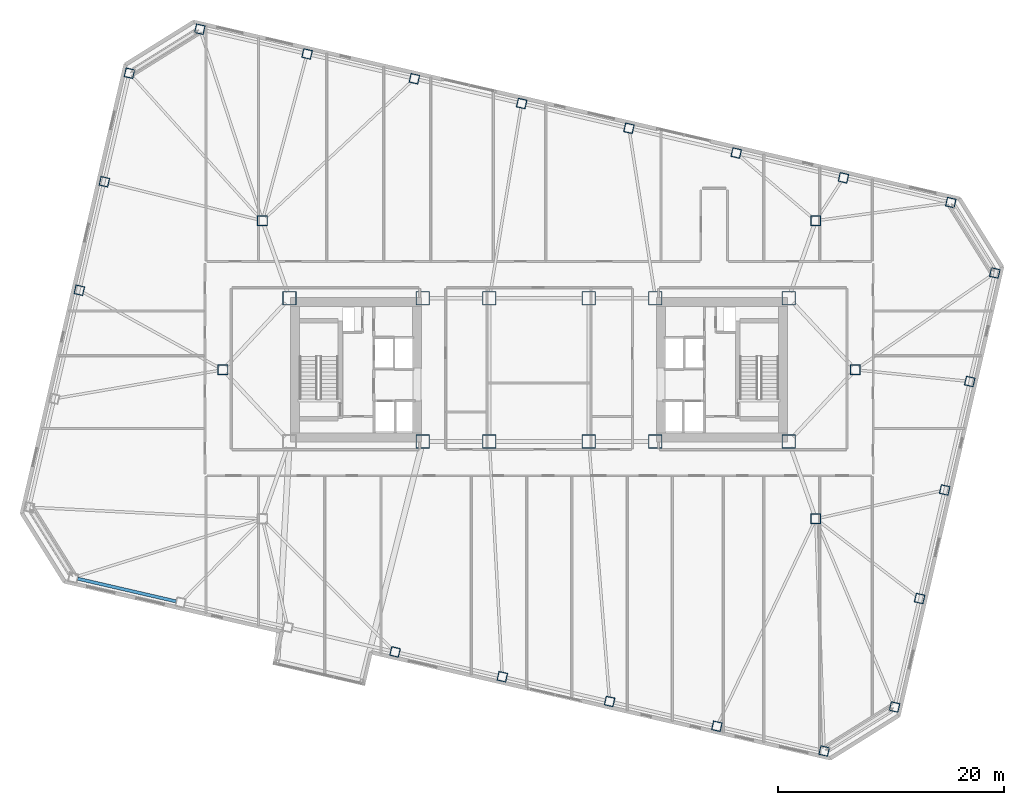
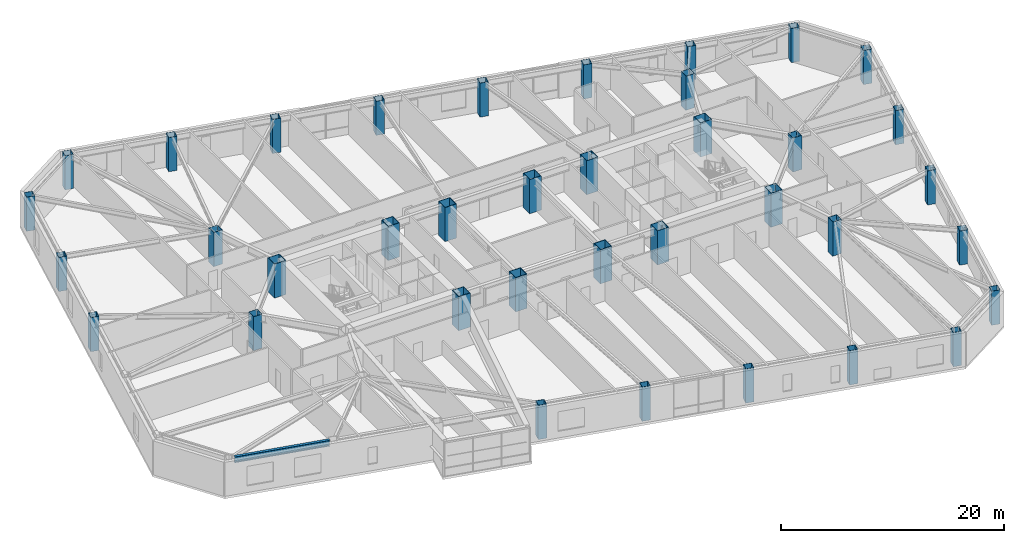
# One storey, part 2 of 21: 37 columns, 1 beam.
"""IFC4 building model written with IfcOpenShell, lengths in metres."""

from ifc_helpers import new_model, si_unit, direction, frame, origin, origin_2d, place, context, subcontext, project, spatial, hollow_rectangle, i_section, extrude, material, material_profile, profile_set, type_object, element, save


model = new_model("IFC4")

# Units and contexts
model_context = context("Model", 3, precision=1e-05, world=origin(), true_north=direction((0.0, 1.0)))
body_context = subcontext(model_context, "Body", "Model", "MODEL_VIEW")
ifc_project = project(units=[si_unit("LENGTHUNIT", "METRE"), si_unit("AREAUNIT", "SQUARE_METRE"), si_unit("VOLUMEUNIT", "CUBIC_METRE"), si_unit("PLANEANGLEUNIT", "RADIAN"), si_unit("MASSUNIT", "GRAM", prefix="KILO")], contexts=[model_context])

# Site, building, storey
site_placement = place(None, origin())
site = spatial("IfcSite", under=ifc_project, at=site_placement, CompositionType="ELEMENT")
building_placement = place(site_placement, origin())
building = spatial("IfcBuilding", under=site, at=building_placement, Name="Tavrogorsk Clinical Tower", CompositionType="ELEMENT")
storey_placement = place(building_placement, frame((0.0, 0.0, 43.39990234375)))
storey = spatial("IfcBuildingStorey", under=building, at=storey_placement, Name="L08", CompositionType="ELEMENT", Elevation=43.39990234375)

# Columns
ifc_material_1 = material(Name="Structural steel S440", Category="steel")
ifc_material_profile_1 = material_profile(ifc_material_1, hollow_rectangle(XDim=1.199951171875, YDim=1.199951171875, WallThickness=0.050048828125, at=origin_2d()), Name="BOX-1200x1200x50")
ifc_profile_set_1 = profile_set([ifc_material_profile_1], Name="Structural steel S440")
column_type_1 = type_object("IfcColumnType", Name="MegaCol_BOX1200", PredefinedType="COLUMN", material=ifc_profile_set_1)
for number, where, z_axis, x_axis, name in (
    (1, (-22.10009765625, 6.35009765625, 0.0), (0.0, 0.0, 1.0), (1.0, 0.0, 0.0), "L08 Mega Column MC-W2"),
    (2, (-10.300048828125, -6.35009765625, 0.0), (0.0, 0.0, 1.0), (1.0, 0.0, 0.0), "L08 Mega Column MC-W3"),
    (3, (-10.300048828125, 6.35009765625, 0.0), (0.0, 0.0, 1.0), (1.0, 0.0, 0.0), "L08 Mega Column MC-W4"),
    (4, (10.300048828125, -6.35009765625, 0.0), (0.0, 0.0, 1.0), (1.0, 0.0, 0.0), "L08 Mega Column MC-E1"),
    (5, (10.300048828125, 6.35009765625, 0.0), (0.0, 0.0, 1.0), (1.0, 0.0, 0.0), "L08 Mega Column MC-E2"),
    (6, (22.10009765625, -6.35009765625, 0.0), (0.0, 0.0, 1.0), (1.0, 0.0, 0.0), "L08 Mega Column MC-E3"),
    (7, (22.10009765625, 6.35009765625, 0.0), (0.0, 0.0, 1.0), (1.0, 0.0, 0.0), "L08 Mega Column MC-E4"),
    (8, (-4.39990234375, -6.35009765625, 0.0), (0.0, 0.0, 1.0), (1.0, 0.0, 0.0), "L08 Mega Column MC-C1"),
    (9, (4.39990234375, -6.35009765625, 0.0), (0.0, 0.0, 1.0), (1.0, 0.0, 0.0), "L08 Mega Column MC-C2"),
    (10, (-4.39990234375, 6.35009765625, 0.0), (0.0, 0.0, 1.0), (1.0, 0.0, 0.0), "L08 Mega Column MC-C3"),
    (11, (4.39990234375, 6.35009765625, 0.0), (0.0, 0.0, 1.0), (1.0, 0.0, 0.0), "L08 Mega Column MC-C4"),
):
    element("IfcColumn", number, at=place(storey_placement, frame(where, z_axis=z_axis, x_axis=x_axis)), inside=storey, type_object=column_type_1, Name=name, PredefinedType="COLUMN", context=body_context, shape_type="SweptSolid", body=[
        extrude(hollow_rectangle(XDim=1.199951171875, YDim=1.199951171875, WallThickness=0.050048828125, at=origin_2d()), origin(), (0.0, 0.0, 1.0), 3.739990234375),
    ])
ifc_material_2 = material(Name="Structural steel S440", Category="steel")
ifc_material_profile_2 = material_profile(ifc_material_2, hollow_rectangle(XDim=0.89990234375, YDim=0.89990234375, WallThickness=0.0400390625, at=origin_2d()), Name="BOX-900x900x40")
ifc_profile_set_2 = profile_set([ifc_material_profile_2], Name="Structural steel S440")
column_type_2 = type_object("IfcColumnType", Name="MegaCol_BOX900", PredefinedType="COLUMN", material=ifc_profile_set_2)
for number, where, z_axis, x_axis, name in (
    (12, (24.5, -13.199951171875, 0.0), (0.0, 0.0, 1.0), (1.0, 0.0, 0.0), "L08 Spine Pilotis Column MC-P2"),
    (13, (-24.5, 13.199951171875, 0.0), (0.0, 0.0, 1.0), (1.0, 0.0, 0.0), "L08 Spine Pilotis Column MC-P3"),
    (14, (24.5, 13.199951171875, 0.0), (0.0, 0.0, 1.0), (1.0, 0.0, 0.0), "L08 Spine Pilotis Column MC-P4"),
    (15, (-28.0, 0.0, 0.0), (0.0, 0.0, 1.0), (1.0, 0.0, 0.0), "L08 Spine Pilotis Column MC-P5"),
    (16, (28.0, 0.0, 0.0), (0.0, 0.0, 1.0), (1.0, 0.0, 0.0), "L08 Spine Pilotis Column MC-P6"),
):
    element("IfcColumn", number, at=place(storey_placement, frame(where, z_axis=z_axis, x_axis=x_axis)), inside=storey, type_object=column_type_2, Name=name, PredefinedType="COLUMN", context=body_context, shape_type="SweptSolid", body=[
        extrude(hollow_rectangle(XDim=0.89990234375, YDim=0.89990234375, WallThickness=0.0400390625, at=origin_2d()), origin(), (0.0, 0.0, 1.0), 3.739990234375),
    ])
ifc_material_3 = material(Name="Structural steel S440", Category="steel")
ifc_material_profile_3 = material_profile(ifc_material_3, hollow_rectangle(XDim=0.800048828125, YDim=0.800048828125, WallThickness=0.035888671875, at=origin_2d()), Name="BOX-800x800x36")
ifc_profile_set_3 = profile_set([ifc_material_profile_3], Name="Structural steel S440")
column_type_3 = type_object("IfcColumnType", Name="PerimCol_B1_BOX800", PredefinedType="COLUMN", material=ifc_profile_set_3)
for number, where, z_axis, x_axis, name in (
    (17, (-12.755126953125, -24.98486328125, 0.0), (0.0, 0.0, 1.0), (0.974370064785, -0.224951054344, 0.0), "L08 Perimeter Column S4"),
    (18, (-3.25634765625, -27.177734375, 0.0), (0.0, 0.0, 1.0), (0.974370064785, -0.224951054344, 0.0), "L08 Perimeter Column S5"),
    (19, (6.2421875, -29.37060546875, 0.0), (0.0, 0.0, 1.0), (0.974370064785, -0.224951054344, 0.0), "L08 Perimeter Column S6"),
    (20, (15.740966796875, -31.563720703125, 0.0), (0.0, 0.0, 1.0), (0.974370064785, -0.224951054344, 0.0), "L08 Perimeter Column S7"),
    (21, (25.23974609375, -33.756591796875, 0.0), (0.0, 0.0, 1.0), (0.974370064785, -0.224951054344, 0.0), "L08 Perimeter Column S8"),
    (22, (36.451416015625, 14.805908203125, 0.0), (0.0, 0.0, 1.0), (0.974370064785, -0.224951054344, 0.0), "L08 Perimeter Column N1"),
    (23, (26.952392578125, 16.998779296875, 0.0), (0.0, 0.0, 1.0), (0.974370064785, -0.224951054344, 0.0), "L08 Perimeter Column N2"),
    (24, (17.453857421875, 19.19189453125, 0.0), (0.0, 0.0, 1.0), (0.974370064785, -0.224951054344, 0.0), "L08 Perimeter Column N3"),
    (25, (7.955078125, 21.384765625, 0.0), (0.0, 0.0, 1.0), (0.974370064785, -0.224951054344, 0.0), "L08 Perimeter Column N4"),
    (26, (-1.543701171875, 23.577880859375, 0.0), (0.0, 0.0, 1.0), (0.974370064785, -0.224951054344, 0.0), "L08 Perimeter Column N5"),
    (27, (-11.042236328125, 25.770751953125, 0.0), (0.0, 0.0, 1.0), (0.974370064785, -0.224951054344, 0.0), "L08 Perimeter Column N6"),
    (28, (-20.541015625, 27.963623046875, 0.0), (0.0, 0.0, 1.0), (0.974370064785, -0.224951054344, 0.0), "L08 Perimeter Column N7"),
    (29, (-30.039794921875, 30.156494140625, 0.0), (0.0, 0.0, 1.0), (0.974370064785, -0.224951054344, 0.0), "L08 Perimeter Column N8"),
    (30, (31.476318359375, -29.859619140625, 0.0), (0.0, 0.0, 1.0), (0.974370064785, -0.224951054344, 0.0), "L08 Perimeter Column E1"),
    (31, (33.694091796875, -20.25244140625, 0.0), (0.0, 0.0, 1.0), (0.974370064785, -0.224951054344, 0.0), "L08 Perimeter Column E2"),
    (32, (35.912109375, -10.64501953125, 0.0), (0.0, 0.0, 1.0), (0.974370064785, -0.224951054344, 0.0), "L08 Perimeter Column E3"),
    (33, (38.130126953125, -1.037841796875, 0.0), (0.0, 0.0, 1.0), (0.974370064785, -0.224951054344, 0.0), "L08 Perimeter Column E4"),
    (34, (40.348388671875, 8.569580078125, 0.0), (0.0, 0.0, 1.0), (0.974370064785, -0.224951054344, 0.0), "L08 Perimeter Column E5"),
    (35, (-36.276123046875, 26.259765625, 0.0), (0.0, 0.0, 1.0), (0.974370064785, -0.224951054344, 0.0), "L08 Perimeter Column W1"),
    (36, (-38.494140625, 16.65234375, 0.0), (0.0, 0.0, 1.0), (0.974370064785, -0.224951054344, 0.0), "L08 Perimeter Column W2"),
    (37, (-40.712158203125, 7.045166015625, 0.0), (0.0, 0.0, 1.0), (0.974370064785, -0.224951054344, 0.0), "L08 Perimeter Column W3"),
):
    element("IfcColumn", number, at=place(storey_placement, frame(where, z_axis=z_axis, x_axis=x_axis)), inside=storey, type_object=column_type_3, Name=name, PredefinedType="COLUMN", context=body_context, shape_type="SweptSolid", body=[
        extrude(hollow_rectangle(XDim=0.800048828125, YDim=0.800048828125, WallThickness=0.035888671875, at=origin_2d()), origin(), (0.0, 0.0, 1.0), 3.739990234375),
    ])

# Beam
ifc_material_4 = material(Name="Structural steel S390", Category="steel")
ifc_material_profile_4 = material_profile(ifc_material_4, i_section(OverallWidth=0.280029296875, OverallDepth=0.64990234375, WebThickness=0.01611328125, FlangeThickness=0.02490234375, at=origin_2d()), Name="B-650x280x16x25")
ifc_profile_set_4 = profile_set([ifc_material_profile_4], Name="Structural steel S390")
beam_type = type_object("IfcBeamType", Name="SpandrelBeam_B650", PredefinedType="SPANDREL", material=ifc_profile_set_4)
beam_placement = place(storey_placement, frame((-40.853759765625, -18.497802734375, 3.4150390625), z_axis=(0.974372766602, -0.224939351168, 0.0), x_axis=(0.224939351168, 0.974372766602, 0.0)))
element("IfcBeam", 38, at=beam_placement, inside=storey, type_object=beam_type, Name="L08 Perimeter Spandrel S1-S2", PredefinedType="SPANDREL", context=body_context, shape_type="SweptSolid", body=[
    extrude(i_section(OverallWidth=0.280029296875, OverallDepth=0.64990234375, WebThickness=0.01611328125, FlangeThickness=0.02490234375, at=origin_2d()), origin(), (0.0, 0.0, 1.0), 8.9326171875),
])

save(model, "model.ifc")
